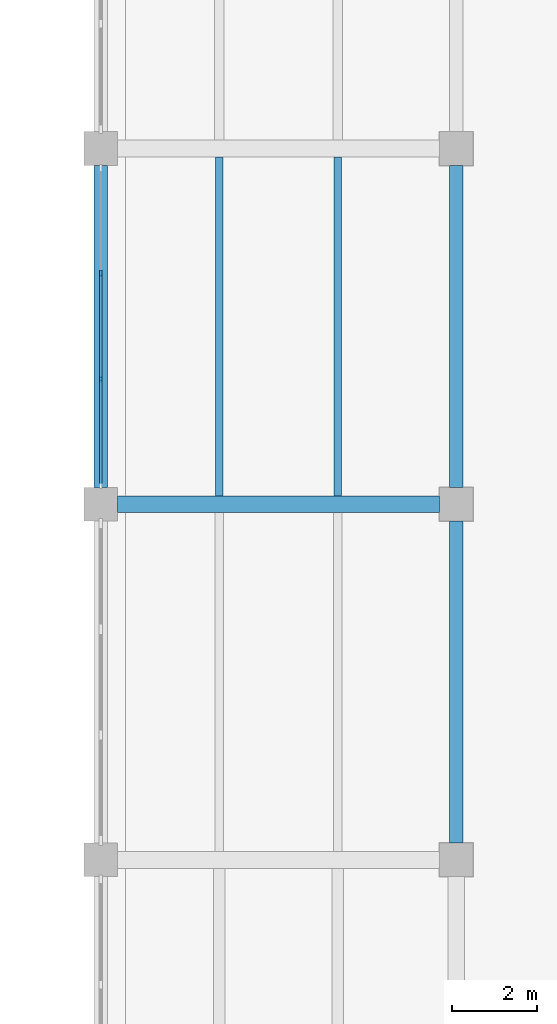
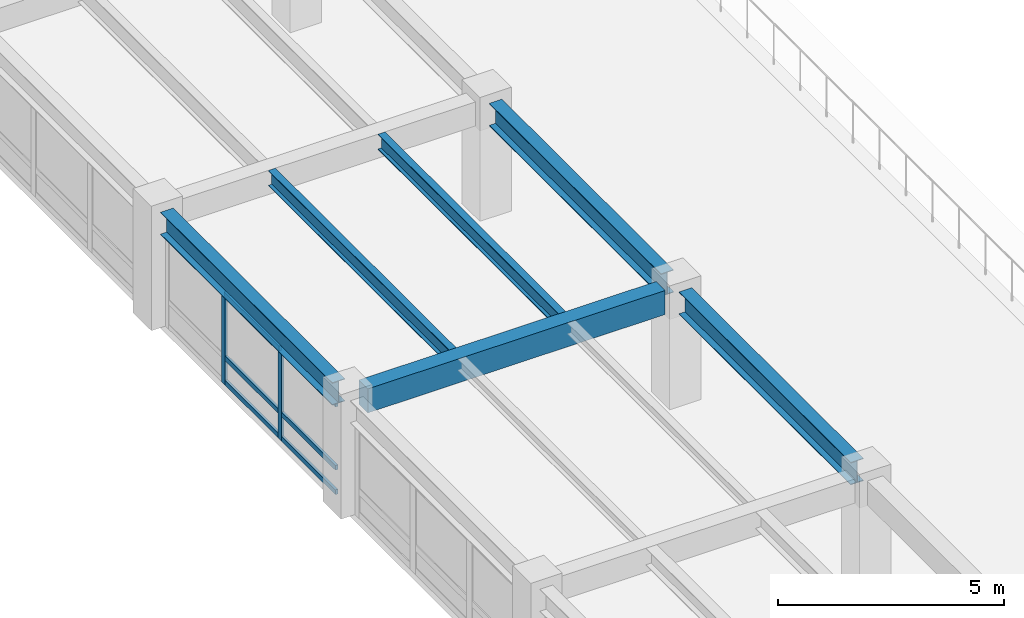
# One storey, part 7 of 111: 8 members, 6 beams, 1 element without a shape of its own.
"""IFC4 building model written with IfcOpenShell, lengths in metres."""

from ifc_helpers import new_model, si_unit, direction, frame, origin, origin_2d, place, context, subcontext, project, spatial, rectangle, i_section, extrude, material, material_profile, profile_set, type_object, element, aggregate, save


model = new_model("IFC4")

# Units and contexts
model_context = context("Model", 3, precision=1e-05, world=origin(), true_north=direction((0.0, 1.0)))
body_context = subcontext(model_context, "Body", "Model", "MODEL_VIEW")
ifc_project = project(units=[si_unit("LENGTHUNIT", "METRE"), si_unit("AREAUNIT", "SQUARE_METRE"), si_unit("VOLUMEUNIT", "CUBIC_METRE"), si_unit("PLANEANGLEUNIT", "RADIAN"), si_unit("MASSUNIT", "GRAM", prefix="KILO")], contexts=[model_context])

# Site, building, storey
site_placement = place(None, origin())
site = spatial("IfcSite", under=ifc_project, at=site_placement, CompositionType="ELEMENT")
building_placement = place(site_placement, origin())
building = spatial("IfcBuilding", under=site, at=building_placement, Name="Cumbredor Promenade Congress Hotel", CompositionType="ELEMENT")
storey_placement = place(building_placement, frame((0.0, 0.0, 15.1201171875)))
storey = spatial("IfcBuildingStorey", under=building, at=storey_placement, Name="L04", CompositionType="ELEMENT", Elevation=15.1201171875)

# Beam
ifc_material_1 = material(Name="Concrete C40/50", Category="concrete")
ifc_material_profile_1 = material_profile(ifc_material_1, rectangle(XDim=0.39990234375, YDim=0.64990234375, at=origin_2d()), Name="RC BEAM 400x650")
ifc_profile_set_1 = profile_set([ifc_material_profile_1], Name="Concrete C40/50")
beam_type_1 = type_object("IfcBeamType", Name="BM-RC-400x650", PredefinedType="BEAM", material=ifc_profile_set_1)
beam_1_placement = place(storey_placement, frame((8.800048828125, 33.60009765625, 2.794921875), z_axis=(1.0, 0.0, 0.0), x_axis=(0.0, 1.0, 0.0)))
element("IfcBeam", 1, at=beam_1_placement, inside=storey, type_object=beam_type_1, Name="L05 X-Grid Beam 014", PredefinedType="BEAM", context=body_context, shape_type="SweptSolid", body=[
    extrude(rectangle(XDim=0.39990234375, YDim=0.64990234375, at=origin_2d()), origin(), (0.0, 0.0, 1.0), 7.599853515625),
])

# Curtain wall, members
ifc_material_2 = material(Name="Thermally broken anodized aluminium and low-E glass", Category="aluminium")
curtain_wall_type = type_object("IfcCurtainWallType", Name="Unitised Bronze Curtain Wall CW-01", PredefinedType="NOTDEFINED", material=ifc_material_2)
curtain_wall_placement = place(storey_placement, origin())
curtain_wall = element("IfcCurtainWall", 2, at=curtain_wall_placement, inside=storey, type_object=curtain_wall_type, Name="L04 Plenary Congress Hall West Curtain Wall 4", PredefinedType="NOTDEFINED")
ifc_material_3 = material(Name="Thermally broken anodized aluminium", Category="aluminium")
ifc_material_profile_2 = material_profile(ifc_material_3, rectangle(XDim=0.06494140625, YDim=0.159912109375, at=origin_2d()), Name="ALU MULLION 65x160")
ifc_profile_set_2 = profile_set([ifc_material_profile_2], Name="Thermally broken anodized aluminium")
member_type_1 = type_object("IfcMemberType", Name="Curtain Wall Mullion ML-01", PredefinedType="MULLION", material=ifc_profile_set_2)
member_1_placement = place(storey_placement, frame((8.39990234375, 36.5517578125, -0.008056640625), z_axis=(0.0, 0.0, 1.0), x_axis=(1.0, 0.0, 0.0)))
member_1 = element("IfcMember", 3, at=member_1_placement, type_object=member_type_1, Name="L04 Plenary Congress Hall West Curtain Wall 4 Mullion 2", PredefinedType="MULLION", context=body_context, shape_type="SweptSolid", body=[
    extrude(rectangle(XDim=0.06494140625, YDim=0.159912109375, at=origin_2d()), origin(), (0.0, 0.0, 1.0), 2.510009765625),
])
member_2_placement = place(storey_placement, frame((8.39990234375, 39.04833984375, -0.008056640625), z_axis=(0.0, 0.0, 1.0), x_axis=(1.0, 0.0, 0.0)))
member_2 = element("IfcMember", 4, at=member_2_placement, type_object=member_type_1, Name="L04 Plenary Congress Hall West Curtain Wall 4 Mullion 3", PredefinedType="MULLION", context=body_context, shape_type="SweptSolid", body=[
    extrude(rectangle(XDim=0.06494140625, YDim=0.159912109375, at=origin_2d()), origin(), (0.0, 0.0, 1.0), 2.510009765625),
])
ifc_material_profile_3 = material_profile(ifc_material_3, rectangle(XDim=0.06494140625, YDim=0.1298828125, at=origin_2d()), Name="ALU TRANSOM 65x130")
ifc_profile_set_3 = profile_set([ifc_material_profile_3], Name="Thermally broken anodized aluminium")
member_type_2 = type_object("IfcMemberType", Name="Curtain Wall Transom TR-01", PredefinedType="USERDEFINED", material=ifc_profile_set_3)
member_3_placement = place(storey_placement, frame((8.39990234375, 34.08740234375, 0.059814453125), z_axis=(0.0, 1.0, 0.0), x_axis=(-1.0, 0.0, 0.0)))
member_3 = element("IfcMember", 5, at=member_3_placement, type_object=member_type_2, Name="L04 Plenary Congress Hall West Curtain Wall 4 Transom 1.1", ObjectType="TRANSOM", PredefinedType="USERDEFINED", context=body_context, shape_type="SweptSolid", body=[
    extrude(rectangle(XDim=0.06494140625, YDim=0.1298828125, at=origin_2d()), origin(), (0.0, 0.0, 1.0), 2.431884765625),
])
member_4_placement = place(storey_placement, frame((8.39990234375, 34.08740234375, 0.719970703125), z_axis=(0.0, 1.0, 0.0), x_axis=(-1.0, 0.0, 0.0)))
member_4 = element("IfcMember", 6, at=member_4_placement, type_object=member_type_2, Name="L04 Plenary Congress Hall West Curtain Wall 4 Transom 1.2", ObjectType="TRANSOM", PredefinedType="USERDEFINED", context=body_context, shape_type="SweptSolid", body=[
    extrude(rectangle(XDim=0.06494140625, YDim=0.1298828125, at=origin_2d()), origin(), (0.0, 0.0, 1.0), 2.431884765625),
])
member_5_placement = place(storey_placement, frame((8.39990234375, 34.08740234375, 2.429931640625), z_axis=(0.0, 1.0, 0.0), x_axis=(-1.0, 0.0, 0.0)))
member_5 = element("IfcMember", 7, at=member_5_placement, type_object=member_type_2, Name="L04 Plenary Congress Hall West Curtain Wall 4 Transom 1.3", ObjectType="TRANSOM", PredefinedType="USERDEFINED", context=body_context, shape_type="SweptSolid", body=[
    extrude(rectangle(XDim=0.06494140625, YDim=0.1298828125, at=origin_2d()), origin(), (0.0, 0.0, 1.0), 2.431884765625),
])
member_6_placement = place(storey_placement, frame((8.39990234375, 36.584228515625, 0.059814453125), z_axis=(0.0, 1.0, 0.0), x_axis=(-1.0, 0.0, 0.0)))
member_6 = element("IfcMember", 8, at=member_6_placement, type_object=member_type_2, Name="L04 Plenary Congress Hall West Curtain Wall 4 Transom 2.1", ObjectType="TRANSOM", PredefinedType="USERDEFINED", context=body_context, shape_type="SweptSolid", body=[
    extrude(rectangle(XDim=0.06494140625, YDim=0.1298828125, at=origin_2d()), origin(), (0.0, 0.0, 1.0), 2.431640625),
])
member_7_placement = place(storey_placement, frame((8.39990234375, 36.584228515625, 0.719970703125), z_axis=(0.0, 1.0, 0.0), x_axis=(-1.0, 0.0, 0.0)))
member_7 = element("IfcMember", 9, at=member_7_placement, type_object=member_type_2, Name="L04 Plenary Congress Hall West Curtain Wall 4 Transom 2.2", ObjectType="TRANSOM", PredefinedType="USERDEFINED", context=body_context, shape_type="SweptSolid", body=[
    extrude(rectangle(XDim=0.06494140625, YDim=0.1298828125, at=origin_2d()), origin(), (0.0, 0.0, 1.0), 2.431640625),
])
member_8_placement = place(storey_placement, frame((8.39990234375, 36.584228515625, 2.429931640625), z_axis=(0.0, 1.0, 0.0), x_axis=(-1.0, 0.0, 0.0)))
member_8 = element("IfcMember", 10, at=member_8_placement, type_object=member_type_2, Name="L04 Plenary Congress Hall West Curtain Wall 4 Transom 2.3", ObjectType="TRANSOM", PredefinedType="USERDEFINED", context=body_context, shape_type="SweptSolid", body=[
    extrude(rectangle(XDim=0.06494140625, YDim=0.1298828125, at=origin_2d()), origin(), (0.0, 0.0, 1.0), 2.431640625),
])
aggregate(curtain_wall, [member_1, member_2, member_3, member_4, member_5, member_6, member_7, member_8])

# Beams
ifc_material_4 = material(Name="Steel ASTM A992 Grade 50", Category="steel")
ifc_material_profile_4 = material_profile(ifc_material_4, i_section(OverallWidth=0.180908203125, OverallDepth=0.4169921875, WebThickness=0.010986328125, FlangeThickness=0.018310546875, at=origin_2d()), Name="W16X57")
ifc_profile_set_4 = profile_set([ifc_material_profile_4], Name="Steel ASTM A992 Grade 50")
beam_type_2 = type_object("IfcBeamType", Name="JST-W16X57", PredefinedType="JOIST", material=ifc_profile_set_4)
for number, where, z_axis, x_axis, name in (
    (11, (11.199951171875, 33.800048828125, 2.911376953125), (0.0, 1.0, 0.0), (-1.0, 0.0, 0.0), "L05 Secondary Floor Joist 0011"),
    (12, (14.0, 33.800048828125, 2.911376953125), (0.0, 1.0, 0.0), (-1.0, 0.0, 0.0), "L05 Secondary Floor Joist 0012"),
):
    element("IfcBeam", number, at=place(storey_placement, frame(where, z_axis=z_axis, x_axis=x_axis)), inside=storey, type_object=beam_type_2, Name=name, PredefinedType="JOIST", context=body_context, shape_type="SweptSolid", body=[
        extrude(i_section(OverallWidth=0.180908203125, OverallDepth=0.4169921875, WebThickness=0.010986328125, FlangeThickness=0.018310546875, at=origin_2d()), origin(), (0.0, 0.0, 1.0), 8.0),
    ])
ifc_material_profile_5 = material_profile(ifc_material_4, i_section(OverallWidth=0.323974609375, OverallDepth=0.611083984375, WebThickness=0.0126953125, FlangeThickness=0.01904296875, at=origin_2d()), Name="W24X104")
ifc_profile_set_5 = profile_set([ifc_material_profile_5], Name="Steel ASTM A992 Grade 50")
beam_type_3 = type_object("IfcBeamType", Name="SP-W24X104", PredefinedType="SPANDREL", material=ifc_profile_set_5)
beam_2_placement = place(storey_placement, frame((8.39990234375, 34.0, 2.814453125), z_axis=(0.0, 1.0, 0.0), x_axis=(-1.0, 0.0, 0.0)))
element("IfcBeam", 13, at=beam_2_placement, inside=storey, type_object=beam_type_3, Name="L05 Y-Grid Beam 015", PredefinedType="SPANDREL", context=body_context, shape_type="SweptSolid", body=[
    extrude(i_section(OverallWidth=0.323974609375, OverallDepth=0.611083984375, WebThickness=0.0126953125, FlangeThickness=0.01904296875, at=origin_2d()), origin(), (0.0, 0.0, 1.0), 7.60009765625),
])
beam_3_placement = place(storey_placement, frame((16.800048828125, 25.60009765625, 2.814453125), z_axis=(0.0, 1.0, 0.0), x_axis=(-1.0, 0.0, 0.0)))
element("IfcBeam", 14, at=beam_3_placement, inside=storey, type_object=beam_type_3, Name="L05 Y-Grid Beam 033", PredefinedType="SPANDREL", context=body_context, shape_type="SweptSolid", body=[
    extrude(i_section(OverallWidth=0.323974609375, OverallDepth=0.611083984375, WebThickness=0.0126953125, FlangeThickness=0.01904296875, at=origin_2d()), origin(), (0.0, 0.0, 1.0), 7.599853515625),
])
beam_4_placement = place(storey_placement, frame((16.800048828125, 34.0, 2.814453125), z_axis=(0.0, 1.0, 0.0), x_axis=(-1.0, 0.0, 0.0)))
element("IfcBeam", 15, at=beam_4_placement, inside=storey, type_object=beam_type_3, Name="L05 Y-Grid Beam 034", PredefinedType="SPANDREL", context=body_context, shape_type="SweptSolid", body=[
    extrude(i_section(OverallWidth=0.323974609375, OverallDepth=0.611083984375, WebThickness=0.0126953125, FlangeThickness=0.01904296875, at=origin_2d()), origin(), (0.0, 0.0, 1.0), 7.60009765625),
])

save(model, "model.ifc")
